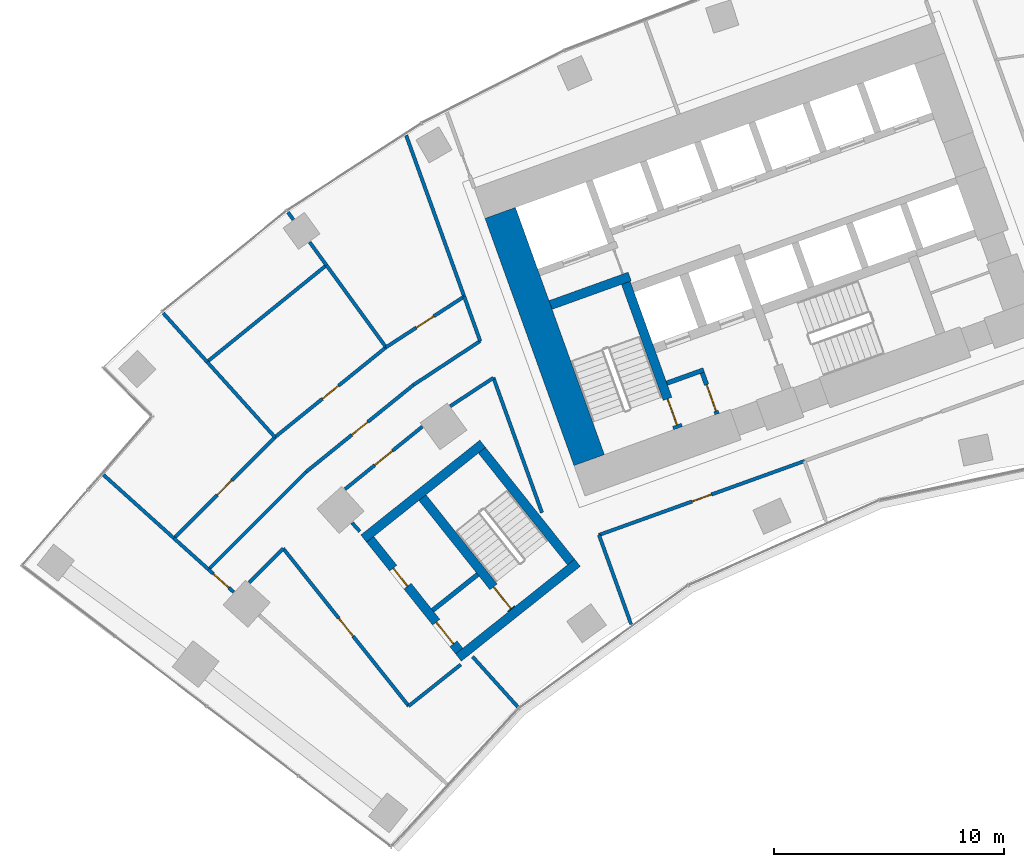
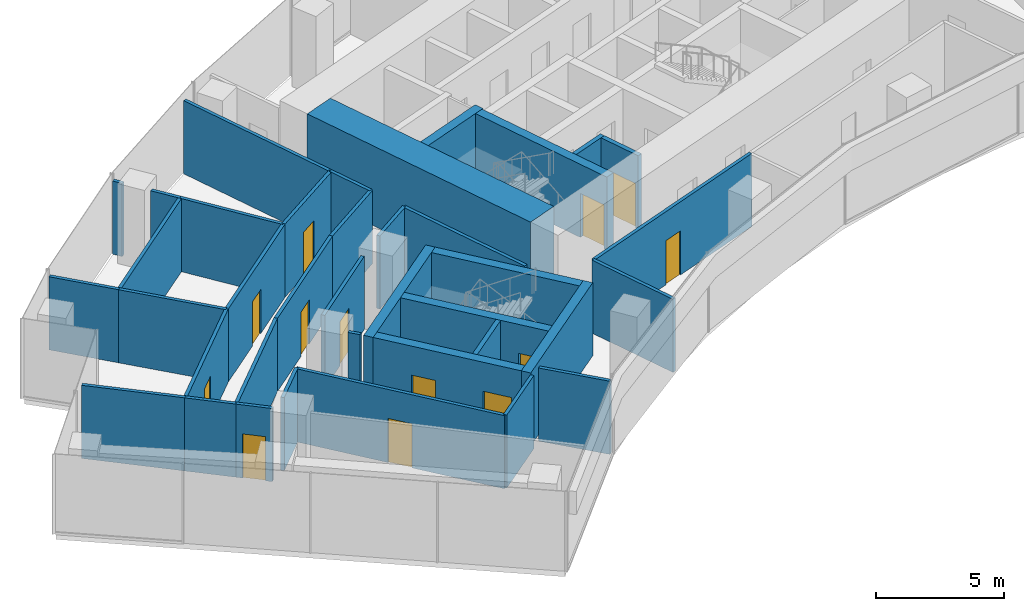
# One storey, part 14 of 21: 38 walls, 13 doors, 13 openings.
"""IFC4 building model written with IfcOpenShell, lengths in metres."""

import ifcopenshell
import ifcopenshell.guid

model = None  # the IFC model being written
_history = None  # IfcOwnerHistory: only IFC2X3 demands one
_inside = {}  # id of a spatial element -> (the spatial element, [elements in it])
_under = {}  # id of a project, library or spatial element -> (it, [spatial elements below it])
_declared = {}  # id of a project -> (the project, [libraries it declares])
_typed = {}  # id of a type object -> (the type object, [elements of that type])
_made_of = {}  # id of a material, layer set ... -> (it, [elements and type objects made of it])


def new_model(schema):
    """Start an empty IFC model of exactly this schema.

    Asked for "IFC4X3", IfcOpenShell would pick the latest addendum, in which some entities
    have other attributes; the version numbers below select the first issue.
    IFC2X3 requires an IfcOwnerHistory on every rooted entity: one is made here for all.
    """
    global model, _history
    if schema == "IFC4X3":
        model = ifcopenshell.file(schema_version=(4, 3, 0, 0))
    else:
        model = ifcopenshell.file(schema=schema)
    _inside.clear()
    _under.clear()
    _declared.clear()
    _typed.clear()
    _made_of.clear()
    _history = None
    if model.schema == "IFC2X3":
        org = make("IfcOrganization", Name="unknown")
        user = make(
            "IfcPersonAndOrganization",
            ThePerson=make("IfcPerson", FamilyName="unknown"),
            TheOrganization=org,
        )
        app = make(
            "IfcApplication",
            ApplicationDeveloper=org,
            Version="unknown",
            ApplicationFullName="unknown",
            ApplicationIdentifier="unknown",
        )
        _history = make(
            "IfcOwnerHistory",
            OwningUser=user,
            OwningApplication=app,
            ChangeAction="ADDED",
            CreationDate=0,
        )
    return model


def make(cls, **values):
    """One entity of the class cls with the attributes given. An attribute that is None is left unset."""
    return model.create_entity(
        cls, **{name: value for name, value in values.items() if value is not None}
    )


def rooted(cls, **values):
    """An entity with a GlobalId (a new one), such as an element, a storey or a relation."""
    return make(cls, GlobalId=ifcopenshell.guid.new(), OwnerHistory=_history, **values)


def si_unit(unit_type, name, prefix=None):
    """IfcSIUnit, for example si_unit("LENGTHUNIT", "METRE", prefix="MILLI")."""
    return make("IfcSIUnit", UnitType=unit_type, Prefix=prefix, Name=name)


def assignment(units):
    """IfcUnitAssignment: the units of a project."""
    return None if units is None else make("IfcUnitAssignment", Units=units)


def point(xyz):
    """IfcCartesianPoint."""
    return None if xyz is None else make("IfcCartesianPoint", Coordinates=xyz)


def direction(xyz):
    """IfcDirection."""
    return None if xyz is None else make("IfcDirection", DirectionRatios=xyz)


def frame(location, z_axis=None, x_axis=None):
    """IfcAxis2Placement3D, a coordinate frame: its origin and axes. An axis left out is left unset."""
    return make(
        "IfcAxis2Placement3D",
        Location=point(location),
        Axis=direction(z_axis),
        RefDirection=direction(x_axis),
    )


def frame_2d(location, x_axis=None):
    """IfcAxis2Placement2D, a coordinate frame in the plane: its origin and x axis."""
    return make(
        "IfcAxis2Placement2D", Location=point(location), RefDirection=direction(x_axis)
    )


def origin():
    """The frame at (0, 0, 0) with its axes left unset."""
    return frame((0.0, 0.0, 0.0))


def place(relative_to, where):
    """IfcLocalPlacement: puts the frame where relative to a parent placement (None: the world)."""
    return make(
        "IfcLocalPlacement", PlacementRelTo=relative_to, RelativePlacement=where
    )


def context(
    kind, dimensions, precision=None, world=None, true_north=None, identifier=None
):
    """IfcGeometricRepresentationContext, for example the 3D "Model" context."""
    return make(
        "IfcGeometricRepresentationContext",
        ContextIdentifier=identifier,
        ContextType=kind,
        CoordinateSpaceDimension=dimensions,
        Precision=precision,
        WorldCoordinateSystem=world,
        TrueNorth=true_north,
    )


def subcontext(parent, identifier, kind, view, scale=None):
    """IfcGeometricRepresentationSubContext, for example "Body" below "Model"."""
    return make(
        "IfcGeometricRepresentationSubContext",
        ContextIdentifier=identifier,
        ContextType=kind,
        ParentContext=parent,
        TargetScale=scale,
        TargetView=view,
    )


def project(units=None, contexts=None):
    """IfcProject with its units and contexts."""
    return rooted(
        "IfcProject",
        Name="project",
        RepresentationContexts=contexts,
        UnitsInContext=assignment(units),
    )


def spatial(cls, under=None, at=None, **own):
    """A site, building, storey or space (cls), placed at a placement, below another one or the project."""
    s = rooted(cls, ObjectPlacement=at, **own)
    if under is not None:
        _under.setdefault(under.id(), (under, []))[1].append(s)
    return s


def profile(cls, at=None, kind="AREA", **sizes):
    """A parametric profile (cls). Its sizes go by their IFC names, for example OverallWidth=200.0."""
    return make(cls, ProfileType=kind, Position=at, **sizes)


def rectangle(**sizes):
    """IfcRectangleProfileDef."""
    return profile("IfcRectangleProfileDef", **sizes)


def extrude(swept, where, along, depth):
    """IfcExtrudedAreaSolid: the profile swept, set in the frame where, extruded along a direction by depth."""
    return make(
        "IfcExtrudedAreaSolid",
        SweptArea=swept,
        Position=where,
        ExtrudedDirection=direction(along),
        Depth=depth,
    )


def shape(context_of_items, identifier, shape_type, items):
    """IfcShapeRepresentation: the items that make up one representation, for example the "Body"."""
    return make(
        "IfcShapeRepresentation",
        ContextOfItems=context_of_items,
        RepresentationIdentifier=identifier,
        RepresentationType=shape_type,
        Items=items,
    )


def material(Name=None, Category=None):
    """IfcMaterial."""
    return make("IfcMaterial", Name=Name, Category=Category)


def layer(
    of_material, thickness, ventilated=None, Name=None, Category=None, Priority=None
):
    """IfcMaterialLayer: one layer of a wall or slab, of a material (None: an air gap)."""
    return make(
        "IfcMaterialLayer",
        Material=of_material,
        LayerThickness=thickness,
        IsVentilated=ventilated,
        Name=Name,
        Category=Category,
        Priority=Priority,
    )


def layer_set(layers, Name=None):
    """IfcMaterialLayerSet."""
    return make("IfcMaterialLayerSet", MaterialLayers=layers, LayerSetName=Name)


def made_of(thing, what):
    """Note that an element or type object is made of a material, layer set ...; save() writes the relation."""
    if what is not None:
        _made_of.setdefault(what.id(), (what, []))[1].append(thing)
    return thing


def type_object(cls, material=None, **own):
    """A type object (cls), such as IfcWallType, which elements share."""
    return made_of(rooted(cls, **own), material)


def element(
    cls,
    number,
    at=None,
    inside=None,
    cuts=None,
    type_object=None,
    material=None,
    context=None,
    identifier="Body",
    shape_type=None,
    held_by="IfcProductDefinitionShape",
    body=None,
    shapes=None,
    **own,
):
    """One element of the class cls, such as IfcWall. Its Tag is "e" and its number.

    at: its placement. inside: the storey or other place that contains it. cuts: it is an
    opening in that element (IfcRelVoidsElement). A single representation is given by context,
    identifier, shape_type and body (its items); several are given by shapes. held_by: the class
    of the entity that holds the representations. save() writes the other relations.
    """
    e = rooted(cls, Tag="e%d" % number, ObjectPlacement=at, **own)
    if body is not None:
        shapes = [shape(context, identifier, shape_type, body)]
    if shapes is not None:
        e.Representation = make(held_by, Representations=shapes)
    if inside is not None:
        _inside.setdefault(inside.id(), (inside, []))[1].append(e)
    if cuts is not None:
        rooted(
            "IfcRelVoidsElement", RelatingBuildingElement=cuts, RelatedOpeningElement=e
        )
    if type_object is not None:
        _typed.setdefault(type_object.id(), (type_object, []))[1].append(e)
    return made_of(e, material)


def fill(opening, filler):
    """IfcRelFillsElement: the door or window that sits in an opening."""
    return rooted(
        "IfcRelFillsElement",
        RelatingOpeningElement=opening,
        RelatedBuildingElement=filler,
    )


def aggregate(whole, parts):
    """IfcRelAggregates: a whole, such as a stair, and the parts it consists of."""
    return rooted("IfcRelAggregates", RelatingObject=whole, RelatedObjects=parts)


def save(model, path):
    """Write the relations noted so far, then the file.

    IfcRelAggregates (storeys below a building ...), IfcRelContainedInSpatialStructure (elements
    in a storey), IfcRelDefinesByType, IfcRelAssociatesMaterial and IfcRelDeclares: one each for
    every whole, place, type object, material and project.
    """
    for whole, parts in _under.values():
        aggregate(whole, parts)
    for where, things in _inside.values():
        rooted(
            "IfcRelContainedInSpatialStructure",
            RelatedElements=things,
            RelatingStructure=where,
        )
    for kind, things in _typed.values():
        rooted("IfcRelDefinesByType", RelatedObjects=things, RelatingType=kind)
    for what, things in _made_of.values():
        rooted("IfcRelAssociatesMaterial", RelatedObjects=things, RelatingMaterial=what)
    for by, libraries in _declared.values():
        rooted("IfcRelDeclares", RelatingContext=by, RelatedDefinitions=libraries)
    model.write(path)


model = new_model("IFC4")

# Units and contexts
model_context = context("Model", 3, precision=1e-05, world=origin(), true_north=direction((0.0, 1.0)))
body_context = subcontext(model_context, "Body", "Model", "MODEL_VIEW")
ifc_project = project(units=[si_unit("LENGTHUNIT", "METRE"), si_unit("AREAUNIT", "SQUARE_METRE"), si_unit("VOLUMEUNIT", "CUBIC_METRE"), si_unit("PLANEANGLEUNIT", "RADIAN"), si_unit("MASSUNIT", "GRAM", prefix="KILO")], contexts=[model_context])

# Site, building, storey
site_placement = place(None, origin())
site = spatial("IfcSite", under=ifc_project, at=site_placement, CompositionType="ELEMENT")
building_placement = place(site_placement, origin())
building = spatial("IfcBuilding", under=site, at=building_placement, Name="Stone Belt Terrace Tower", CompositionType="ELEMENT")
storey_placement = place(building_placement, frame((0.0, 0.0, 90.800048828125)))
storey = spatial("IfcBuildingStorey", under=building, at=storey_placement, Name="L21", CompositionType="ELEMENT", Elevation=90.800048828125)

# Walls
ifc_material_1 = material(Name="Concrete B80", Category="concrete")
ifc_layer_1 = layer(ifc_material_1, 1.39990234375)
ifc_layer_set_1 = layer_set([ifc_layer_1], Name="Core wall 1400 B80")
wall_type_1 = type_object("IfcWallType", Name="Core wall 1400 B80", PredefinedType="SHEAR", material=ifc_layer_set_1)
wall_1_placement = place(storey_placement, frame((-26.00927734375, 43.03515625, 0.0), z_axis=(0.0, 0.0, 1.0), x_axis=(-0.338625431531, 0.940921259788, 0.0)))
element("IfcWall", 1, at=wall_1_placement, inside=storey, type_object=wall_type_1, Name="Core A wall end_a L21", PredefinedType="SHEAR", context=body_context, shape_type="SweptSolid", body=[
    extrude(rectangle(XDim=11.400146484375, YDim=1.39990234375, at=frame_2d((5.7001953125, 0.0))), origin(), (0.0, 0.0, 1.0), 3.800048828125),
])
ifc_material_2 = material(Name="Gypsum board partition")
ifc_layer_2 = layer(ifc_material_2, 0.14990234375)
ifc_layer_set_2 = layer_set([ifc_layer_2], Name="PARTITION 150 EI 60")
wall_type_2 = type_object("IfcWallType", Name="PARTITION 150 EI 60", PredefinedType="PARTITIONING", material=ifc_layer_set_2)
wall_2_placement = place(storey_placement, frame((-25.5859375, 39.79296875, 0.0), z_axis=(0.0, 0.0, 1.0), x_axis=(0.338545933013, -0.940949866486, 0.0)))
element("IfcWall", 2, at=wall_2_placement, inside=storey, type_object=wall_type_2, Name="L21/wall/i001", PredefinedType="PARTITIONING", context=body_context, shape_type="SweptSolid", body=[
    extrude(rectangle(XDim=4.135009765625, YDim=0.14990234375, at=frame_2d((2.0673828125, 0.0))), origin(), (0.0, 0.0, 1.0), 3.47998046875),
])
wall_3_placement = place(storey_placement, frame((-28.05810546875, 40.75390625, 0.0), z_axis=(0.0, 0.0, 1.0), x_axis=(-0.338523697563, 0.94095786632, 0.0)))
element("IfcWall", 3, at=wall_3_placement, inside=storey, type_object=wall_type_2, Name="L21/wall/i003", PredefinedType="PARTITIONING", context=body_context, shape_type="SweptSolid", body=[
    extrude(rectangle(XDim=6.226806640625, YDim=0.14990234375, at=frame_2d((3.11328125, 0.0))), origin(), (0.0, 0.0, 1.0), 3.47998046875),
])
wall_4_placement = place(storey_placement, frame((-29.107177734375, 32.32666015625, 0.0), z_axis=(0.0, 0.0, 1.0), x_axis=(-0.669245075227, 0.74304174128, 0.0)))
element("IfcWall", 4, at=wall_4_placement, inside=storey, type_object=wall_type_2, Name="L21/wall/i004", PredefinedType="PARTITIONING", context=body_context, shape_type="SweptSolid", body=[
    extrude(rectangle(XDim=2.9345703125, YDim=0.14990234375, at=frame_2d((1.46728515625, 0.0))), origin(), (0.0, 0.0, 1.0), 3.47998046875),
])
wall_5_placement = place(storey_placement, frame((-30.737060546875, 48.197021484375, 0.0), z_axis=(0.0, 0.0, 1.0), x_axis=(-0.338522672426, 0.940958235127, 0.0)))
element("IfcWall", 5, at=wall_5_placement, inside=storey, type_object=wall_type_2, Name="L21/wall/i005", PredefinedType="PARTITIONING", context=body_context, shape_type="SweptSolid", body=[
    extrude(rectangle(XDim=2.064697265625, YDim=0.14990234375, at=frame_2d((1.0322265625, 0.0))), origin(), (0.0, 0.0, 1.0), 3.47998046875),
])
wall_6_placement = place(storey_placement, frame((-31.431884765625, 50.12890625, 0.0), z_axis=(0.0, 0.0, 1.0), x_axis=(-0.338627692375, 0.940920446136, 0.0)))
element("IfcWall", 6, at=wall_6_placement, inside=storey, type_object=wall_type_2, Name="L21/wall/i006", PredefinedType="PARTITIONING", context=body_context, shape_type="SweptSolid", body=[
    extrude(rectangle(XDim=7.44189453125, YDim=0.14990234375, at=frame_2d((3.720947265625, 0.0))), origin(), (0.0, 0.0, 1.0), 3.47998046875),
])

# Wall, opening, door
wall_7_placement = place(storey_placement, frame((-16.6640625, 42.9970703125, 0.0), z_axis=(0.0, 0.0, 1.0), x_axis=(-0.940928114496, -0.338606384098, 0.0)))
wall_7 = element("IfcWall", 7, at=wall_7_placement, inside=storey, type_object=wall_type_2, Name="L21/wall/i012", PredefinedType="PARTITIONING", context=body_context, shape_type="SweptSolid", body=[
    extrude(rectangle(XDim=9.47998046875, YDim=0.14990234375, at=frame_2d((4.739990234375, 0.0))), origin(), (0.0, 0.0, 1.0), 3.47998046875),
])
opening_1_placement = place(wall_7_placement, frame((4.2900390625, 0.0, 0.0)))
opening_1 = element("IfcOpeningElement", 8, at=opening_1_placement, cuts=wall_7, Name="Opening D-B2-01", PredefinedType="OPENING", context=body_context, shape_type="SweptSolid", body=[
    extrude(rectangle(XDim=0.89990234375, YDim=2.10009765625, at=frame_2d((0.449951171875, 1.050048828125))), frame((0.0, 0.0849609375, 0.0), z_axis=(0.0, -1.0, 0.0), x_axis=(1.0, 0.0, 0.0)), (0.0, 0.0, 1.0), 0.169921875),
])
ifc_material_3 = material(Name="Timber door leaf", Category="wood")
door_type_1 = type_object("IfcDoorType", Name="OFFICE DOOR 900 X 2100", OperationType="NOTDEFINED", PredefinedType="DOOR", material=ifc_material_3)
door_1_placement = place(opening_1_placement, origin())
door_1 = element("IfcDoor", 9, at=door_1_placement, inside=storey, type_object=door_type_1, Name="L21/door/i01", OperationType="SINGLE_SWING_RIGHT", OverallHeight=2.10009765625, OverallWidth=0.89990234375, PredefinedType="DOOR", context=body_context, shape_type="SweptSolid", body=[
    extrude(rectangle(XDim=0.89990234375, YDim=2.10009765625, at=frame_2d((0.449951171875, 1.050048828125))), frame((0.0, 0.02490234375, 0.0), z_axis=(0.0, -1.0, 0.0), x_axis=(1.0, 0.0, 0.0)), (0.0, 0.0, 1.0), 0.050048828125),
])
fill(opening_1, door_1)

wall_8_placement = place(storey_placement, frame((-41.43408203125, 37.307373046875, 0.0), z_axis=(0.0, 0.0, 1.0), x_axis=(-0.742890797428, 0.669412625439, 0.0)))
wall_8 = element("IfcWall", 10, at=wall_8_placement, inside=storey, type_object=wall_type_2, Name="L21/wall/i027", PredefinedType="PARTITIONING", context=body_context, shape_type="SweptSolid", body=[
    extrude(rectangle(XDim=1.475341796875, YDim=0.14990234375, at=frame_2d((0.73779296875, 0.0))), origin(), (0.0, 0.0, 1.0), 3.47998046875),
])
opening_2_placement = place(wall_8_placement, frame((0.28759765625, 0.0, 0.0)))
opening_2 = element("IfcOpeningElement", 11, at=opening_2_placement, cuts=wall_8, Name="Opening D-B2-09", PredefinedType="OPENING", context=body_context, shape_type="SweptSolid", body=[
    extrude(rectangle(XDim=0.89990234375, YDim=2.10009765625, at=frame_2d((0.449951171875, 1.050048828125))), frame((0.0, 0.0849609375, 0.0), z_axis=(0.0, -1.0, 0.0), x_axis=(1.0, 0.0, 0.0)), (0.0, 0.0, 1.0), 0.169921875),
])
ifc_material_4 = material(Name="Timber fire door leaf", Category="wood")
door_type_2 = type_object("IfcDoorType", Name="TENANCY ENTRANCE DOOR 900 X 2100", OperationType="NOTDEFINED", PredefinedType="DOOR", material=ifc_material_4)
door_2_placement = place(opening_2_placement, origin())
door_2 = element("IfcDoor", 12, at=door_2_placement, inside=storey, type_object=door_type_2, Name="L21/door/i09", OperationType="SINGLE_SWING_RIGHT", OverallHeight=2.10009765625, OverallWidth=0.89990234375, PredefinedType="DOOR", context=body_context, shape_type="SweptSolid", body=[
    extrude(rectangle(XDim=0.89990234375, YDim=2.10009765625, at=frame_2d((0.449951171875, 1.050048828125))), frame((0.0, 0.02490234375, 0.0), z_axis=(0.0, -1.0, 0.0), x_axis=(1.0, 0.0, 0.0)), (0.0, 0.0, 1.0), 0.050048828125),
])
fill(opening_2, door_2)

# Walls
wall_9_placement = place(storey_placement, frame((-44.033935546875, 39.64794921875, 0.0), z_axis=(0.0, 0.0, 1.0), x_axis=(0.743276242629, -0.668984623997, 0.0)))
element("IfcWall", 13, at=wall_9_placement, inside=storey, type_object=wall_type_2, Name="L21/wall/i029", PredefinedType="PARTITIONING", context=body_context, shape_type="SweptSolid", body=[
    extrude(rectangle(XDim=2.0341796875, YDim=0.14990234375, at=frame_2d((1.01708984375, 0.0))), origin(), (0.0, 0.0, 1.0), 3.47998046875),
])
wall_10_placement = place(storey_placement, frame((-47.08642578125, 42.39697265625, 0.0), z_axis=(0.0, 0.0, 1.0), x_axis=(0.743235201661, -0.669030219805, 0.0)))
element("IfcWall", 14, at=wall_10_placement, inside=storey, type_object=wall_type_2, Name="L21/wall/i030", PredefinedType="PARTITIONING", context=body_context, shape_type="SweptSolid", body=[
    extrude(rectangle(XDim=4.119140625, YDim=0.14990234375, at=frame_2d((2.0595703125, 0.0))), origin(), (0.0, 0.0, 1.0), 3.47998046875),
])
wall_11_placement = place(storey_placement, frame((-30.1640625, 46.60693359375, 0.0), z_axis=(0.0, 0.0, 1.0), x_axis=(-0.835456606052, -0.549556420583, 0.0)))
element("IfcWall", 15, at=wall_11_placement, inside=storey, type_object=wall_type_2, Name="L21/wall/i031", PredefinedType="PARTITIONING", context=body_context, shape_type="SweptSolid", body=[
    extrude(rectangle(XDim=2.239013671875, YDim=0.14990234375, at=frame_2d((1.11962890625, 0.0))), origin(), (0.0, 0.0, 1.0), 3.47998046875),
])

# Wall, opening, door
wall_12_placement = place(storey_placement, frame((-33.253662109375, 44.485107421875, 0.0), z_axis=(0.0, 0.0, 1.0), x_axis=(-0.777153738144, -0.62931078752, 0.0)))
wall_12 = element("IfcWall", 16, at=wall_12_placement, inside=storey, type_object=wall_type_2, Name="L21/wall/i032", PredefinedType="PARTITIONING", context=body_context, shape_type="SweptSolid", body=[
    extrude(rectangle(XDim=4.30517578125, YDim=0.14990234375, at=frame_2d((2.152587890625, 0.0))), origin(), (0.0, 0.0, 1.0), 3.47998046875),
])
opening_3_placement = place(wall_12_placement, frame((1.652587890625, 0.0, 0.0)))
opening_3 = element("IfcOpeningElement", 17, at=opening_3_placement, cuts=wall_12, Name="Opening D-B2-10", PredefinedType="OPENING", context=body_context, shape_type="SweptSolid", body=[
    extrude(rectangle(XDim=1.0, YDim=2.10009765625, at=frame_2d((0.5, 1.050048828125))), frame((0.0, 0.0849609375, 0.0), z_axis=(0.0, -1.0, 0.0), x_axis=(1.0, 0.0, 0.0)), (0.0, 0.0, 1.0), 0.169921875),
])
door_type_3 = type_object("IfcDoorType", Name="TENANCY ENTRANCE DOOR 1000 X 2100", OperationType="NOTDEFINED", PredefinedType="DOOR", material=ifc_material_4)
door_3_placement = place(opening_3_placement, origin())
door_3 = element("IfcDoor", 18, at=door_3_placement, inside=storey, type_object=door_type_3, Name="L21/door/i10", OperationType="SINGLE_SWING_RIGHT", OverallHeight=2.10009765625, OverallWidth=1.0, PredefinedType="DOOR", context=body_context, shape_type="SweptSolid", body=[
    extrude(rectangle(XDim=1.0, YDim=2.10009765625, at=frame_2d((0.5, 1.050048828125))), frame((0.0, 0.02490234375, 0.0), z_axis=(0.0, -1.0, 0.0), x_axis=(1.0, 0.0, 0.0)), (0.0, 0.0, 1.0), 0.050048828125),
])
fill(opening_3, door_3)

# Walls
wall_13_placement = place(storey_placement, frame((-39.281982421875, 39.205078125, 0.0), z_axis=(0.0, 0.0, 1.0), x_axis=(-0.707106781187, -0.707106781187, 0.0)))
element("IfcWall", 19, at=wall_13_placement, inside=storey, type_object=wall_type_2, Name="L21/wall/i033", PredefinedType="PARTITIONING", context=body_context, shape_type="SweptSolid", body=[
    extrude(rectangle(XDim=2.09814453125, YDim=0.14990234375, at=frame_2d((1.049072265625, 0.0))), origin(), (0.0, 0.0, 1.0), 3.47998046875),
])
wall_14_placement = place(storey_placement, frame((-42.52587890625, 38.291015625, 0.0), z_axis=(0.0, 0.0, 1.0), x_axis=(0.707106781187, 0.707106781187, 0.0)))
element("IfcWall", 20, at=wall_14_placement, inside=storey, type_object=wall_type_2, Name="L21/wall/i034", PredefinedType="PARTITIONING", context=body_context, shape_type="SweptSolid", body=[
    extrude(rectangle(XDim=5.989013671875, YDim=0.14990234375, at=frame_2d((2.99462890625, 0.0))), origin(), (0.0, 0.0, 1.0), 3.47998046875),
])

# Wall, opening, door
wall_15_placement = place(storey_placement, frame((-38.291015625, 42.52587890625, 0.0), z_axis=(0.0, 0.0, 1.0), x_axis=(0.777109127033, 0.629365875054, 0.0)))
wall_15 = element("IfcWall", 21, at=wall_15_placement, inside=storey, type_object=wall_type_2, Name="L21/wall/i035", PredefinedType="PARTITIONING", context=body_context, shape_type="SweptSolid", body=[
    extrude(rectangle(XDim=5.990234375, YDim=0.14990234375, at=frame_2d((2.9951171875, 0.0))), origin(), (0.0, 0.0, 1.0), 3.47998046875),
])
opening_4_placement = place(wall_15_placement, frame((2.545166015625, 0.0, 0.0)))
opening_4 = element("IfcOpeningElement", 22, at=opening_4_placement, cuts=wall_15, Name="Opening D-B2-12", PredefinedType="OPENING", context=body_context, shape_type="SweptSolid", body=[
    extrude(rectangle(XDim=0.89990234375, YDim=2.10009765625, at=frame_2d((0.449951171875, 1.050048828125))), frame((0.0, 0.0849609375, 0.0), z_axis=(0.0, -1.0, 0.0), x_axis=(1.0, 0.0, 0.0)), (0.0, 0.0, 1.0), 0.169921875),
])
door_4_placement = place(opening_4_placement, origin())
door_4 = element("IfcDoor", 23, at=door_4_placement, inside=storey, type_object=door_type_1, Name="L21/door/i12", OperationType="SINGLE_SWING_RIGHT", OverallHeight=2.10009765625, OverallWidth=0.89990234375, PredefinedType="DOOR", context=body_context, shape_type="SweptSolid", body=[
    extrude(rectangle(XDim=0.89990234375, YDim=2.10009765625, at=frame_2d((0.449951171875, 1.050048828125))), frame((0.0, 0.02490234375, 0.0), z_axis=(0.0, -1.0, 0.0), x_axis=(1.0, 0.0, 0.0)), (0.0, 0.0, 1.0), 0.050048828125),
])
fill(opening_4, door_4)

# Walls
wall_16_placement = place(storey_placement, frame((-33.635986328125, 46.2958984375, 0.0), z_axis=(0.0, 0.0, 1.0), x_axis=(0.835274160171, 0.549833681535, 0.0)))
element("IfcWall", 24, at=wall_16_placement, inside=storey, type_object=wall_type_2, Name="L21/wall/i036", PredefinedType="PARTITIONING", context=body_context, shape_type="SweptSolid", body=[
    extrude(rectangle(XDim=3.46826171875, YDim=0.14990234375, at=frame_2d((1.734130859375, 0.0))), origin(), (0.0, 0.0, 1.0), 3.47998046875),
])
wall_17_placement = place(storey_placement, frame((-36.297119140625, 40.311767578125, 0.0), z_axis=(0.0, 0.0, 1.0), x_axis=(0.669100229536, -0.743172175768, 0.0)))
element("IfcWall", 25, at=wall_17_placement, inside=storey, type_object=wall_type_2, Name="L21/wall/i037", PredefinedType="PARTITIONING", context=body_context, shape_type="SweptSolid", body=[
    extrude(rectangle(XDim=0.497802734375, YDim=0.14990234375, at=frame_2d((0.2490234375, 0.0))), origin(), (0.0, 0.0, 1.0), 3.47998046875),
])
wall_18_placement = place(storey_placement, frame((-31.58203125, 34.1640625, 0.0), z_axis=(0.0, 0.0, 1.0), x_axis=(-0.78211299795, -0.623136629029, 0.0)))
element("IfcWall", 26, at=wall_18_placement, inside=storey, type_object=wall_type_2, Name="L21/wall/i038", PredefinedType="PARTITIONING", context=body_context, shape_type="SweptSolid", body=[
    extrude(rectangle(XDim=2.88720703125, YDim=0.14990234375, at=frame_2d((1.443603515625, 0.0))), origin(), (0.0, 0.0, 1.0), 3.47998046875),
])

# Wall, opening, door
wall_19_placement = place(storey_placement, frame((-33.841064453125, 32.365966796875, 0.0), z_axis=(0.0, 0.0, 1.0), x_axis=(-0.623078744687, 0.782159112917, 0.0)))
wall_19 = element("IfcWall", 27, at=wall_19_placement, inside=storey, type_object=wall_type_2, Name="L21/wall/i039", PredefinedType="PARTITIONING", context=body_context, shape_type="SweptSolid", body=[
    extrude(rectangle(XDim=8.738525390625, YDim=0.14990234375, at=frame_2d((4.369140625, 0.0))), origin(), (0.0, 0.0, 1.0), 3.47998046875),
])
opening_5_placement = place(wall_19_placement, frame((3.869384765625, 0.0, 0.0)))
opening_5 = element("IfcOpeningElement", 28, at=opening_5_placement, cuts=wall_19, Name="Opening D-B2-11", PredefinedType="OPENING", context=body_context, shape_type="SweptSolid", body=[
    extrude(rectangle(XDim=1.0, YDim=2.10009765625, at=frame_2d((0.5, 1.050048828125))), frame((0.0, 0.0849609375, 0.0), z_axis=(0.0, -1.0, 0.0), x_axis=(1.0, 0.0, 0.0)), (0.0, 0.0, 1.0), 0.169921875),
])
door_5_placement = place(opening_5_placement, origin())
door_5 = element("IfcDoor", 29, at=door_5_placement, inside=storey, type_object=door_type_3, Name="L21/door/i11", OperationType="SINGLE_SWING_RIGHT", OverallHeight=2.10009765625, OverallWidth=1.0, PredefinedType="DOOR", context=body_context, shape_type="SweptSolid", body=[
    extrude(rectangle(XDim=1.0, YDim=2.10009765625, at=frame_2d((0.5, 1.050048828125))), frame((0.0, 0.02490234375, 0.0), z_axis=(0.0, -1.0, 0.0), x_axis=(1.0, 0.0, 0.0)), (0.0, 0.0, 1.0), 0.050048828125),
])
fill(opening_5, door_5)

wall_20_placement = place(storey_placement, frame((-44.029052734375, 39.64501953125, 0.0), z_axis=(0.0, 0.0, 1.0), x_axis=(0.707106781187, 0.707106781187, 0.0)))
wall_20 = element("IfcWall", 30, at=wall_20_placement, inside=storey, type_object=wall_type_2, Name="L21/wall/i040", PredefinedType="PARTITIONING", context=body_context, shape_type="SweptSolid", body=[
    extrude(rectangle(XDim=6.201416015625, YDim=0.14990234375, at=frame_2d((3.1005859375, 0.0))), origin(), (0.0, 0.0, 1.0), 3.47998046875),
])
opening_6_placement = place(wall_20_placement, frame((2.650634765625, 0.0, 0.0)))
opening_6 = element("IfcOpeningElement", 31, at=opening_6_placement, cuts=wall_20, Name="Opening D-B2-13", PredefinedType="OPENING", context=body_context, shape_type="SweptSolid", body=[
    extrude(rectangle(XDim=0.89990234375, YDim=2.10009765625, at=frame_2d((0.449951171875, 1.050048828125))), frame((0.0, 0.0849609375, 0.0), z_axis=(0.0, -1.0, 0.0), x_axis=(1.0, 0.0, 0.0)), (0.0, 0.0, 1.0), 0.169921875),
])
door_6_placement = place(opening_6_placement, origin())
door_6 = element("IfcDoor", 32, at=door_6_placement, inside=storey, type_object=door_type_1, Name="L21/door/i13", OperationType="SINGLE_SWING_RIGHT", OverallHeight=2.10009765625, OverallWidth=0.89990234375, PredefinedType="DOOR", context=body_context, shape_type="SweptSolid", body=[
    extrude(rectangle(XDim=0.89990234375, YDim=2.10009765625, at=frame_2d((0.449951171875, 1.050048828125))), frame((0.0, 0.02490234375, 0.0), z_axis=(0.0, -1.0, 0.0), x_axis=(1.0, 0.0, 0.0)), (0.0, 0.0, 1.0), 0.050048828125),
])
fill(opening_6, door_6)

wall_21_placement = place(storey_placement, frame((-39.64404296875, 44.030029296875, 0.0), z_axis=(0.0, 0.0, 1.0), x_axis=(0.777190769916, 0.629265053184, 0.0)))
wall_21 = element("IfcWall", 33, at=wall_21_placement, inside=storey, type_object=wall_type_2, Name="L21/wall/i041", PredefinedType="PARTITIONING", context=body_context, shape_type="SweptSolid", body=[
    extrude(rectangle(XDim=6.20068359375, YDim=0.14990234375, at=frame_2d((3.100341796875, 0.0))), origin(), (0.0, 0.0, 1.0), 3.47998046875),
])
opening_7_placement = place(wall_21_placement, frame((2.650390625, 0.0, 0.0)))
opening_7 = element("IfcOpeningElement", 34, at=opening_7_placement, cuts=wall_21, Name="Opening D-B2-14", PredefinedType="OPENING", context=body_context, shape_type="SweptSolid", body=[
    extrude(rectangle(XDim=0.89990234375, YDim=2.10009765625, at=frame_2d((0.449951171875, 1.050048828125))), frame((0.0, 0.0849609375, 0.0), z_axis=(0.0, -1.0, 0.0), x_axis=(1.0, 0.0, 0.0)), (0.0, 0.0, 1.0), 0.169921875),
])
door_7_placement = place(opening_7_placement, origin())
door_7 = element("IfcDoor", 35, at=door_7_placement, inside=storey, type_object=door_type_1, Name="L21/door/i14", OperationType="SINGLE_SWING_RIGHT", OverallHeight=2.10009765625, OverallWidth=0.89990234375, PredefinedType="DOOR", context=body_context, shape_type="SweptSolid", body=[
    extrude(rectangle(XDim=0.89990234375, YDim=2.10009765625, at=frame_2d((0.449951171875, 1.050048828125))), frame((0.0, 0.02490234375, 0.0), z_axis=(0.0, -1.0, 0.0), x_axis=(1.0, 0.0, 0.0)), (0.0, 0.0, 1.0), 0.050048828125),
])
fill(opening_7, door_7)

wall_22_placement = place(storey_placement, frame((-34.824951171875, 47.931884765625, 0.0), z_axis=(0.0, 0.0, 1.0), x_axis=(0.838660143757, 0.544655086521, 0.0)))
wall_22 = element("IfcWall", 36, at=wall_22_placement, inside=storey, type_object=wall_type_2, Name="L21/wall/i042", PredefinedType="PARTITIONING", context=body_context, shape_type="SweptSolid", body=[
    extrude(rectangle(XDim=4.043212890625, YDim=0.14990234375, at=frame_2d((2.021484375, 0.0))), origin(), (0.0, 0.0, 1.0), 3.47998046875),
])
opening_8_placement = place(wall_22_placement, frame((1.571533203125, 0.0, 0.0)))
opening_8 = element("IfcOpeningElement", 37, at=opening_8_placement, cuts=wall_22, Name="Opening D-B2-15", PredefinedType="OPENING", context=body_context, shape_type="SweptSolid", body=[
    extrude(rectangle(XDim=0.89990234375, YDim=2.10009765625, at=frame_2d((0.449951171875, 1.050048828125))), frame((0.0, 0.0849609375, 0.0), z_axis=(0.0, -1.0, 0.0), x_axis=(1.0, 0.0, 0.0)), (0.0, 0.0, 1.0), 0.169921875),
])
door_8_placement = place(opening_8_placement, origin())
door_8 = element("IfcDoor", 38, at=door_8_placement, inside=storey, type_object=door_type_1, Name="L21/door/i15", OperationType="SINGLE_SWING_RIGHT", OverallHeight=2.10009765625, OverallWidth=0.89990234375, PredefinedType="DOOR", context=body_context, shape_type="SweptSolid", body=[
    extrude(rectangle(XDim=0.89990234375, YDim=2.10009765625, at=frame_2d((0.449951171875, 1.050048828125))), frame((0.0, 0.02490234375, 0.0), z_axis=(0.0, -1.0, 0.0), x_axis=(1.0, 0.0, 0.0)), (0.0, 0.0, 1.0), 0.050048828125),
])
fill(opening_8, door_8)

# Walls
wall_23_placement = place(storey_placement, frame((-42.592041015625, 47.302978515625, 0.0), z_axis=(0.0, 0.0, 1.0), x_axis=(0.669258646934, -0.74302951725, 0.0)))
element("IfcWall", 39, at=wall_23_placement, inside=storey, type_object=wall_type_2, Name="L21/wall/i043", PredefinedType="PARTITIONING", context=body_context, shape_type="SweptSolid", body=[
    extrude(rectangle(XDim=4.40478515625, YDim=0.14990234375, at=frame_2d((2.202392578125, 0.0))), origin(), (0.0, 0.0, 1.0), 3.47998046875),
])
wall_24_placement = place(storey_placement, frame((-44.496826171875, 49.41943359375, 0.0), z_axis=(0.0, 0.0, 1.0), x_axis=(0.66894586308, -0.743311127502, 0.0)))
element("IfcWall", 40, at=wall_24_placement, inside=storey, type_object=wall_type_2, Name="L21/wall/i044", PredefinedType="PARTITIONING", context=body_context, shape_type="SweptSolid", body=[
    extrude(rectangle(XDim=2.859375, YDim=0.14990234375, at=frame_2d((1.4296875, 0.0))), origin(), (0.0, 0.0, 1.0), 3.47998046875),
])
wall_25_placement = place(storey_placement, frame((-42.587890625, 47.299072265625, 0.0), z_axis=(0.0, 0.0, 1.0), x_axis=(0.777100621569, 0.629376377025, 0.0)))
element("IfcWall", 41, at=wall_25_placement, inside=storey, type_object=wall_type_2, Name="L21/wall/i045", PredefinedType="PARTITIONING", context=body_context, shape_type="SweptSolid", body=[
    extrude(rectangle(XDim=6.661865234375, YDim=0.14990234375, at=frame_2d((3.3310546875, 0.0))), origin(), (0.0, 0.0, 1.0), 3.47998046875),
])
wall_26_placement = place(storey_placement, frame((-37.410888671875, 51.491943359375, 0.0), z_axis=(0.0, 0.0, 1.0), x_axis=(0.587696525109, -0.809081451014, 0.0)))
element("IfcWall", 42, at=wall_26_placement, inside=storey, type_object=wall_type_2, Name="L21/wall/i046", PredefinedType="PARTITIONING", context=body_context, shape_type="SweptSolid", body=[
    extrude(rectangle(XDim=4.400146484375, YDim=0.14990234375, at=frame_2d((2.2001953125, 0.0))), origin(), (0.0, 0.0, 1.0), 3.47998046875),
])
wall_27_placement = place(storey_placement, frame((-39.087890625, 53.7998046875, 0.0), z_axis=(0.0, 0.0, 1.0), x_axis=(0.588207421816, -0.808710101904, 0.0)))
element("IfcWall", 43, at=wall_27_placement, inside=storey, type_object=wall_type_2, Name="L21/wall/i047", PredefinedType="PARTITIONING", context=body_context, shape_type="SweptSolid", body=[
    extrude(rectangle(XDim=0.40625, YDim=0.14990234375, at=frame_2d((0.203125, 0.0))), origin(), (0.0, 0.0, 1.0), 3.47998046875),
])
wall_28_placement = place(storey_placement, frame((-38.1376953125, 52.4921875, 0.0), z_axis=(0.0, 0.0, 1.0), x_axis=(0.587831164671, -0.808983635089, 0.0)))
element("IfcWall", 44, at=wall_28_placement, inside=storey, type_object=wall_type_2, Name="L21/wall/i048", PredefinedType="PARTITIONING", context=body_context, shape_type="SweptSolid", body=[
    extrude(rectangle(XDim=1.236328125, YDim=0.14990234375, at=frame_2d((0.6181640625, 0.0))), origin(), (0.0, 0.0, 1.0), 3.47998046875),
])
ifc_material_5 = material(Name="Concrete masonry block", Category="masonry")
ifc_layer_3 = layer(ifc_material_5, 0.199951171875)
ifc_layer_set_3 = layer_set([ifc_layer_3], Name="Rated lobby wall 200")
wall_type_3 = type_object("IfcWallType", Name="Rated lobby wall 200", PredefinedType="PARTITIONING", material=ifc_layer_set_3)
wall_29_placement = place(storey_placement, frame((-22.640625, 46.373046875, 0.0), z_axis=(0.0, 0.0, 1.0), x_axis=(0.940966110313, 0.338500781747, 0.0)))
element("IfcWall", 45, at=wall_29_placement, inside=storey, type_object=wall_type_3, Name="Core A wall", PredefinedType="PARTITIONING", context=body_context, shape_type="SweptSolid", body=[
    extrude(rectangle(XDim=1.699951171875, YDim=0.199951171875, at=frame_2d((0.85009765625, 0.0))), origin(), (0.0, 0.0, 1.0), 3.47998046875),
])

# Wall, opening, door
wall_30_placement = place(storey_placement, frame((-20.4580078125, 45.032958984375, 0.0), z_axis=(0.0, 0.0, 1.0), x_axis=(-0.338573865316, 0.940939816208, 0.0)))
wall_30 = element("IfcWall", 46, at=wall_30_placement, inside=storey, type_object=wall_type_3, Name="Core A wall", PredefinedType="PARTITIONING", context=body_context, shape_type="SweptSolid", body=[
    extrude(rectangle(XDim=1.900146484375, YDim=0.199951171875, at=frame_2d((0.9501953125, 0.0))), origin(), (0.0, 0.0, 1.0), 3.47998046875),
])
opening_9_placement = place(wall_30_placement, frame((0.14990234375, 0.0, 0.0)))
opening_9 = element("IfcOpeningElement", 47, at=opening_9_placement, cuts=wall_30, Name="Opening L21-C04", PredefinedType="OPENING", context=body_context, shape_type="SweptSolid", body=[
    extrude(rectangle(XDim=1.199951171875, YDim=2.10009765625, at=frame_2d((0.60009765625, 1.050048828125))), frame((0.0, 0.10986328125, 0.0), z_axis=(0.0, -1.0, 0.0), x_axis=(1.0, 0.0, 0.0)), (0.0, 0.0, 1.0), 0.219970703125),
])
ifc_material_6 = material(Name="Steel door leaf", Category="steel")
door_type_4 = type_object("IfcDoorType", Name="Stair door 1200", OperationType="SINGLE_SWING_LEFT", PredefinedType="DOOR", material=ifc_material_6)
door_9_placement = place(opening_9_placement, origin())
door_9 = element("IfcDoor", 48, at=door_9_placement, inside=storey, type_object=door_type_4, Name="Stair airlock door core A", OperationType="SINGLE_SWING_RIGHT", OverallHeight=2.10009765625, OverallWidth=1.199951171875, PredefinedType="DOOR", context=body_context, shape_type="SweptSolid", body=[
    extrude(rectangle(XDim=1.199951171875, YDim=2.10009765625, at=frame_2d((0.60009765625, 1.050048828125))), frame((0.0, 0.02490234375, 0.0), z_axis=(0.0, -1.0, 0.0), x_axis=(1.0, 0.0, 0.0)), (0.0, 0.0, 1.0), 0.050048828125),
])
fill(opening_9, door_9)

# Walls
wall_31_placement = place(storey_placement, frame((-30.845703125, 38.074951171875, 0.0), z_axis=(0.0, 0.0, 1.0), x_axis=(-0.782115323833, -0.623133709749, 0.0)))
element("IfcWall", 49, at=wall_31_placement, inside=storey, type_object=wall_type_3, Name="Exit stair ST3A wall", PredefinedType="PARTITIONING", context=body_context, shape_type="SweptSolid", body=[
    extrude(rectangle(XDim=2.5, YDim=0.199951171875, at=frame_2d((1.25, 0.0))), origin(), (0.0, 0.0, 1.0), 3.47998046875),
])
ifc_layer_4 = layer(ifc_material_1, 0.39990234375)
ifc_layer_set_4 = layer_set([ifc_layer_4], Name="Stair enclosure wall 400")
wall_type_4 = type_object("IfcWallType", Name="Stair enclosure wall 400", PredefinedType="SHEAR", material=ifc_layer_set_4)
wall_32_placement = place(storey_placement, frame((-27.687255859375, 49.764404296875, 0.0), z_axis=(0.0, 0.0, 1.0), x_axis=(0.940918954884, 0.338631835981, 0.0)))
element("IfcWall", 50, at=wall_32_placement, inside=storey, type_object=wall_type_4, Name="Core A wall", PredefinedType="SHEAR", context=body_context, shape_type="SweptSolid", body=[
    extrude(rectangle(XDim=3.650146484375, YDim=0.39990234375, at=frame_2d((1.8251953125, 0.0))), origin(), (0.0, 0.0, 1.0), 3.47998046875),
])

# Wall, opening, door
wall_33_placement = place(storey_placement, frame((-22.151611328125, 44.42333984375, 0.0), z_axis=(0.0, 0.0, 1.0), x_axis=(-0.338625272931, 0.940921316866, 0.0)))
wall_33 = element("IfcWall", 51, at=wall_33_placement, inside=storey, type_object=wall_type_4, Name="Core A wall", PredefinedType="SHEAR", context=body_context, shape_type="SweptSolid", body=[
    extrude(rectangle(XDim=6.699951171875, YDim=0.39990234375, at=frame_2d((3.35009765625, 0.0))), origin(), (0.0, 0.0, 1.0), 3.47998046875),
])
opening_10_placement = place(wall_33_placement, frame((0.14990234375, 0.0, 0.0)))
opening_10 = element("IfcOpeningElement", 52, at=opening_10_placement, cuts=wall_33, Name="Opening L21-C03", PredefinedType="OPENING", context=body_context, shape_type="SweptSolid", body=[
    extrude(rectangle(XDim=1.199951171875, YDim=2.10009765625, at=frame_2d((0.60009765625, 1.050048828125))), frame((0.0, 0.2099609375, 0.0), z_axis=(0.0, -1.0, 0.0), x_axis=(1.0, 0.0, 0.0)), (0.0, 0.0, 1.0), 0.419921875),
])
door_10_placement = place(opening_10_placement, origin())
door_10 = element("IfcDoor", 53, at=door_10_placement, inside=storey, type_object=door_type_4, Name="Stair 1 door core A", OperationType="SINGLE_SWING_RIGHT", OverallHeight=2.10009765625, OverallWidth=1.199951171875, PredefinedType="DOOR", context=body_context, shape_type="SweptSolid", body=[
    extrude(rectangle(XDim=1.199951171875, YDim=2.10009765625, at=frame_2d((0.60009765625, 1.050048828125))), frame((0.0, 0.02490234375, 0.0), z_axis=(0.0, -1.0, 0.0), x_axis=(1.0, 0.0, 0.0)), (0.0, 0.0, 1.0), 0.050048828125),
])
fill(opening_10, door_10)

# Walls
for number, where, z_axis, x_axis, name in (
    (54, (-26.518798828125, 38.58154296875, 0.0), (0.0, 0.0, 1.0), (-0.782133914161, -0.623110375711, 0.0), "Exit stair ST3A wall"),
    (55, (-30.63134765625, 43.74365234375, 0.0), (0.0, 0.0, 1.0), (-0.782133914161, -0.623110375711, 0.0), "Exit stair ST3A wall"),
):
    element("IfcWall", number, at=place(storey_placement, frame(where, z_axis=z_axis, x_axis=x_axis)), inside=storey, type_object=wall_type_4, Name=name, PredefinedType="SHEAR", context=body_context, shape_type="SweptSolid", body=[
        extrude(rectangle(XDim=6.60009765625, YDim=0.39990234375, at=frame_2d((3.300048828125, 0.0))), origin(), (0.0, 0.0, 1.0), 3.47998046875),
    ])
wall_34_placement = place(storey_placement, frame((-26.7998046875, 38.61328125, 0.0), z_axis=(0.0, 0.0, 1.0), x_axis=(-0.623118653668, 0.782127319208, 0.0)))
element("IfcWall", 56, at=wall_34_placement, inside=storey, type_object=wall_type_4, Name="Exit stair ST3A wall", PredefinedType="SHEAR", context=body_context, shape_type="SweptSolid", body=[
    extrude(rectangle(XDim=6.199951171875, YDim=0.39990234375, at=frame_2d((3.10009765625, 0.0))), origin(), (0.0, 0.0, 1.0), 3.47998046875),
])

# Wall, openings, doors
wall_35_placement = place(storey_placement, frame((-31.64892578125, 34.75, 0.0), z_axis=(0.0, 0.0, 1.0), x_axis=(-0.623118653668, 0.782127319208, 0.0)))
wall_35 = element("IfcWall", 57, at=wall_35_placement, inside=storey, type_object=wall_type_4, Name="Exit stair ST3A wall", PredefinedType="SHEAR", context=body_context, shape_type="SweptSolid", body=[
    extrude(rectangle(XDim=6.199951171875, YDim=0.39990234375, at=frame_2d((3.10009765625, 0.0))), origin(), (0.0, 0.0, 1.0), 3.47998046875),
])
opening_11_placement = place(wall_35_placement, frame((0.39990234375, 0.0, 0.0)))
opening_11 = element("IfcOpeningElement", 58, at=opening_11_placement, cuts=wall_35, Name="Opening L21-C20", PredefinedType="OPENING", context=body_context, shape_type="SweptSolid", body=[
    extrude(rectangle(XDim=1.199951171875, YDim=2.10009765625, at=frame_2d((0.60009765625, 1.050048828125))), frame((0.0, 0.2099609375, 0.0), z_axis=(0.0, -1.0, 0.0), x_axis=(1.0, 0.0, 0.0)), (0.0, 0.0, 1.0), 0.419921875),
])
opening_12_placement = place(wall_35_placement, frame((3.60009765625, 0.0, 0.0)))
opening_12 = element("IfcOpeningElement", 59, at=opening_12_placement, cuts=wall_35, Name="Opening L21-C21", PredefinedType="OPENING", context=body_context, shape_type="SweptSolid", body=[
    extrude(rectangle(XDim=1.0, YDim=2.10009765625, at=frame_2d((0.5, 1.050048828125))), frame((0.0, 0.2099609375, 0.0), z_axis=(0.0, -1.0, 0.0), x_axis=(1.0, 0.0, 0.0)), (0.0, 0.0, 1.0), 0.419921875),
])
door_type_5 = type_object("IfcDoorType", Name="Core room door 1000", OperationType="SINGLE_SWING_LEFT", PredefinedType="DOOR", material=ifc_material_3)
door_11_placement = place(opening_12_placement, origin())
door_11 = element("IfcDoor", 60, at=door_11_placement, inside=storey, type_object=door_type_5, Name="Door to stair pressurisation plant room ST3A", OperationType="SINGLE_SWING_LEFT", OverallHeight=2.10009765625, OverallWidth=1.0, PredefinedType="DOOR", context=body_context, shape_type="SweptSolid", body=[
    extrude(rectangle(XDim=1.0, YDim=2.10009765625, at=frame_2d((0.5, 1.050048828125))), frame((0.0, 0.02490234375, 0.0), z_axis=(0.0, -1.0, 0.0), x_axis=(1.0, 0.0, 0.0)), (0.0, 0.0, 1.0), 0.050048828125),
])
fill(opening_12, door_11)
door_type_6 = type_object("IfcDoorType", Name="Stair airlock door 1200", OperationType="SINGLE_SWING_LEFT", PredefinedType="DOOR", material=ifc_material_6)
door_12_placement = place(opening_11_placement, origin())
door_12 = element("IfcDoor", 61, at=door_12_placement, inside=storey, type_object=door_type_6, Name="Stair airlock door ST3A", OperationType="SINGLE_SWING_LEFT", OverallHeight=2.10009765625, OverallWidth=1.199951171875, PredefinedType="DOOR", context=body_context, shape_type="SweptSolid", body=[
    extrude(rectangle(XDim=1.199951171875, YDim=2.10009765625, at=frame_2d((0.60009765625, 1.050048828125))), frame((0.0, 0.02490234375, 0.0), z_axis=(0.0, -1.0, 0.0), x_axis=(1.0, 0.0, 0.0)), (0.0, 0.0, 1.0), 0.050048828125),
])
fill(opening_11, door_12)

# Wall, opening, door
wall_36_placement = place(storey_placement, frame((-29.380859375, 36.556884765625, 0.0), z_axis=(0.0, 0.0, 1.0), x_axis=(-0.623099462847, 0.782142608097, 0.0)))
wall_36 = element("IfcWall", 62, at=wall_36_placement, inside=storey, type_object=wall_type_4, Name="Exit stair ST3A wall", PredefinedType="SHEAR", context=body_context, shape_type="SweptSolid", body=[
    extrude(rectangle(XDim=6.2001953125, YDim=0.39990234375, at=frame_2d((3.10009765625, 0.0))), origin(), (0.0, 0.0, 1.0), 3.47998046875),
])
opening_13_placement = place(wall_36_placement, frame((0.050048828125, 0.0, 0.0)))
opening_13 = element("IfcOpeningElement", 63, at=opening_13_placement, cuts=wall_36, Name="Opening L21-C19", PredefinedType="OPENING", context=body_context, shape_type="SweptSolid", body=[
    extrude(rectangle(XDim=1.199951171875, YDim=2.10009765625, at=frame_2d((0.60009765625, 1.050048828125))), frame((0.0, 0.2099609375, 0.0), z_axis=(0.0, -1.0, 0.0), x_axis=(1.0, 0.0, 0.0)), (0.0, 0.0, 1.0), 0.419921875),
])
door_13_placement = place(opening_13_placement, origin())
door_13 = element("IfcDoor", 64, at=door_13_placement, inside=storey, type_object=door_type_4, Name="Stair door ST3A", OperationType="SINGLE_SWING_RIGHT", OverallHeight=2.10009765625, OverallWidth=1.199951171875, PredefinedType="DOOR", context=body_context, shape_type="SweptSolid", body=[
    extrude(rectangle(XDim=1.199951171875, YDim=2.10009765625, at=frame_2d((0.60009765625, 1.050048828125))), frame((0.0, 0.02490234375, 0.0), z_axis=(0.0, -1.0, 0.0), x_axis=(1.0, 0.0, 0.0)), (0.0, 0.0, 1.0), 0.050048828125),
])
fill(opening_13, door_13)

save(model, "model.ifc")
